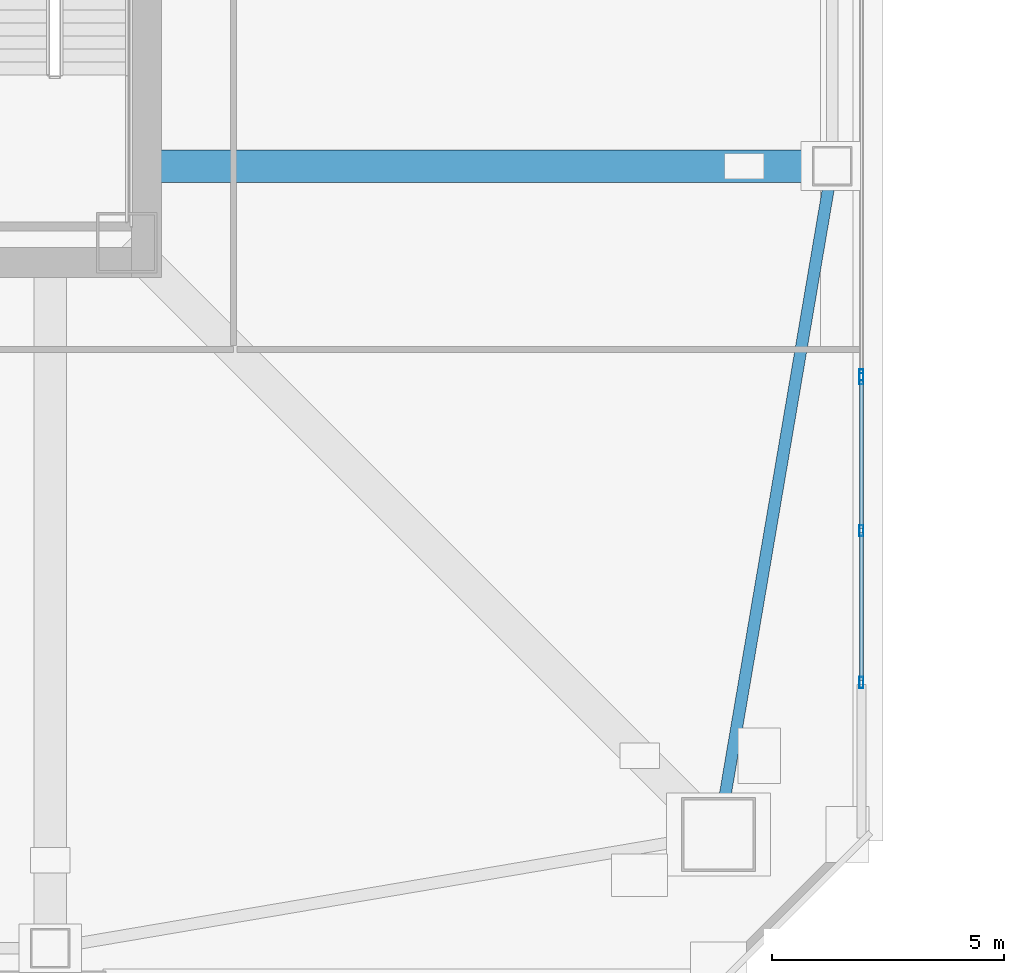
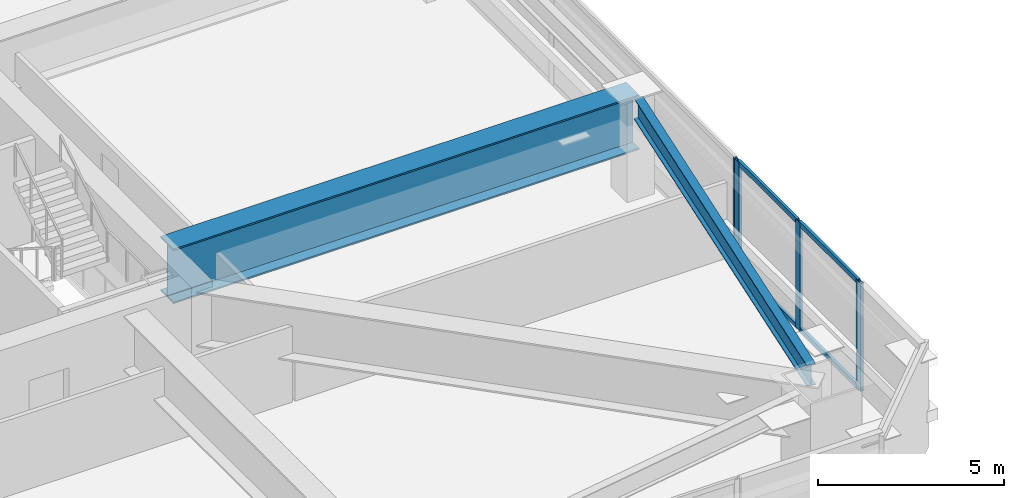
# One storey, part 10 of 48: 8 members, 2 beams, 2 elements without a shape of their own.
"""IFC4 building model written with IfcOpenShell, lengths in metres."""

from ifc_helpers import new_model, si_unit, direction, frame, origin, origin_2d, place, context, subcontext, project, spatial, hollow_rectangle, i_section, extrude, material, material_profile, profile_set, type_object, element, aggregate, save


model = new_model("IFC4")

# Units and contexts
model_context = context("Model", 3, precision=1e-05, world=origin(), true_north=direction((0.0, 1.0)))
body_context = subcontext(model_context, "Body", "Model", "MODEL_VIEW")
ifc_project = project(units=[si_unit("LENGTHUNIT", "METRE"), si_unit("AREAUNIT", "SQUARE_METRE"), si_unit("VOLUMEUNIT", "CUBIC_METRE"), si_unit("PLANEANGLEUNIT", "RADIAN"), si_unit("MASSUNIT", "GRAM", prefix="KILO")], contexts=[model_context])

# Site, building, storey
site_placement = place(None, origin())
site = spatial("IfcSite", under=ifc_project, at=site_placement, CompositionType="ELEMENT")
building_placement = place(site_placement, origin())
building = spatial("IfcBuilding", under=site, at=building_placement, Name="Tashvorn Skyway Center", CompositionType="ELEMENT")
storey_placement = place(building_placement, frame((0.0, 0.0, 63.64990234375)))
storey = spatial("IfcBuildingStorey", under=building, at=storey_placement, Name="L16", CompositionType="ELEMENT", Elevation=63.64990234375)

# Beams
ifc_material_1 = material(Name="Steel ASTM A572 Grade 50", Category="steel")
ifc_material_profile_1 = material_profile(ifc_material_1, i_section(OverallWidth=0.699951171875, OverallDepth=1.800048828125, WebThickness=0.031982421875, FlangeThickness=0.050048828125, at=origin_2d()), Name="PG1800x700")
ifc_profile_set_1 = profile_set([ifc_material_profile_1], Name="Steel ASTM A572 Grade 50")
beam_type_1 = type_object("IfcBeamType", Name="BM-BEAM-PG1800x700", PredefinedType="BEAM", material=ifc_profile_set_1)
beam_1_placement = place(storey_placement, frame((64.25, 26.60009765625, 2.4501953125), z_axis=(-1.0, 0.0, 0.0), x_axis=(0.0, -1.0, 0.0)))
element("IfcBeam", 1, at=beam_1_placement, inside=storey, type_object=beam_type_1, Name="Tower 1 L16 Setback Transfer Girder FC-E1", PredefinedType="BEAM", context=body_context, shape_type="SweptSolid", body=[
    extrude(i_section(OverallWidth=0.699951171875, OverallDepth=1.800048828125, WebThickness=0.031982421875, FlangeThickness=0.050048828125, at=origin_2d()), origin(), (0.0, 0.0, 1.0), 14.469970703125),
])
ifc_material_2 = material(Name="Steel ASTM A992 Grade 50", Category="steel")
ifc_material_profile_2 = material_profile(ifc_material_2, i_section(OverallWidth=0.256103515625, OverallDepth=0.693115234375, WebThickness=0.014404296875, FlangeThickness=0.023681640625, at=origin_2d()), Name="W27X114")
ifc_profile_set_2 = profile_set([ifc_material_profile_2], Name="Steel ASTM A992 Grade 50")
beam_type_2 = type_object("IfcBeamType", Name="BM-SPANDREL-W27X114", PredefinedType="SPANDREL", material=ifc_profile_set_2)
beam_2_placement = place(storey_placement, frame((61.933349609375, 12.983642578125, 3.003662109375), z_axis=(0.16771792509, 0.985835025551, 0.0), x_axis=(-0.985835025551, 0.16771792509, 0.0)))
element("IfcBeam", 2, at=beam_2_placement, inside=storey, type_object=beam_type_2, Name="Tower 1 L16 Spandrel Beam 04", PredefinedType="SPANDREL", context=body_context, shape_type="SweptSolid", body=[
    extrude(i_section(OverallWidth=0.256103515625, OverallDepth=0.693115234375, WebThickness=0.014404296875, FlangeThickness=0.023681640625, at=origin_2d()), origin(), (0.0, 0.0, 1.0), 13.39208984375),
])

# Curtain wall, member
ifc_material_3 = material(Name="Thermally broken bronze-anodized aluminium 6063-T6", Category="aluminium")
curtain_wall_type = type_object("IfcCurtainWallType", Name="CW-CW-Z1", PredefinedType="NOTDEFINED", material=ifc_material_3)
curtain_wall_1_placement = place(storey_placement, origin())
curtain_wall_1 = element("IfcCurtainWall", 3, at=curtain_wall_1_placement, inside=storey, type_object=curtain_wall_type, Name="Tower 1 L16 East Unitised Curtain Wall Glazing Group 2", PredefinedType="NOTDEFINED")
ifc_material_profile_3 = material_profile(ifc_material_3, hollow_rectangle(XDim=0.0849609375, YDim=0.239990234375, WallThickness=0.0048828125, at=origin_2d()), Name="ALU-MULL-85x240")
ifc_profile_set_3 = profile_set([ifc_material_profile_3], Name="Thermally broken bronze-anodized aluminium 6063-T6")
member_type_1 = type_object("IfcMemberType", Name="CWM-CW-Z1", PredefinedType="MULLION", material=ifc_profile_set_3)
member_1_placement = place(storey_placement, frame((64.8798828125, 22.1025390625, 0.0), z_axis=(0.0, 0.0, 1.0), x_axis=(1.0, 0.0, 0.0)))
member_1 = element("IfcMember", 4, at=member_1_placement, type_object=member_type_1, Name="CW-Z1 mullion 3", PredefinedType="MULLION", context=body_context, shape_type="SweptSolid", body=[
    extrude(hollow_rectangle(XDim=0.0849609375, YDim=0.239990234375, WallThickness=0.0048828125, at=origin_2d()), origin(), (0.0, 0.0, 1.0), 3.550048828125),
])
aggregate(curtain_wall_1, [member_1])

# Curtain wall, members
curtain_wall_2_placement = place(storey_placement, origin())
curtain_wall_2 = element("IfcCurtainWall", 5, at=curtain_wall_2_placement, inside=storey, type_object=curtain_wall_type, Name="Tower 1 L16 East Unitised Curtain Wall Glazing Group 3", PredefinedType="NOTDEFINED")
member_2_placement = place(storey_placement, frame((64.8798828125, 22.017578125, 0.0), z_axis=(0.0, 0.0, 1.0), x_axis=(1.0, 0.0, 0.0)))
member_2 = element("IfcMember", 6, at=member_2_placement, type_object=member_type_1, Name="CW-Z1 mullion 1", PredefinedType="MULLION", context=body_context, shape_type="SweptSolid", body=[
    extrude(hollow_rectangle(XDim=0.0849609375, YDim=0.239990234375, WallThickness=0.0048828125, at=origin_2d()), origin(), (0.0, 0.0, 1.0), 3.550048828125),
])
member_3_placement = place(storey_placement, frame((64.8798828125, 18.74658203125, 0.0), z_axis=(0.0, 0.0, 1.0), x_axis=(1.0, 0.0, 0.0)))
member_3 = element("IfcMember", 7, at=member_3_placement, type_object=member_type_1, Name="CW-Z1 mullion 2", PredefinedType="MULLION", context=body_context, shape_type="SweptSolid", body=[
    extrude(hollow_rectangle(XDim=0.0849609375, YDim=0.239990234375, WallThickness=0.0048828125, at=origin_2d()), origin(), (0.0, 0.0, 1.0), 3.550048828125),
])
member_4_placement = place(storey_placement, frame((64.8798828125, 15.475830078125, 0.0), z_axis=(0.0, 0.0, 1.0), x_axis=(1.0, 0.0, 0.0)))
member_4 = element("IfcMember", 8, at=member_4_placement, type_object=member_type_1, Name="CW-Z1 mullion 3", PredefinedType="MULLION", context=body_context, shape_type="SweptSolid", body=[
    extrude(hollow_rectangle(XDim=0.0849609375, YDim=0.239990234375, WallThickness=0.0048828125, at=origin_2d()), origin(), (0.0, 0.0, 1.0), 3.550048828125),
])
ifc_material_profile_4 = material_profile(ifc_material_3, hollow_rectangle(XDim=0.0849609375, YDim=0.1650390625, WallThickness=0.0048828125, at=origin_2d()), Name="ALU-TRAN-85x165")
ifc_profile_set_4 = profile_set([ifc_material_profile_4], Name="Thermally broken bronze-anodized aluminium 6063-T6")
member_type_2 = type_object("IfcMemberType", Name="CWT-CW-Z1", PredefinedType="USERDEFINED", material=ifc_profile_set_4)
member_5_placement = place(storey_placement, frame((64.8798828125, 21.97509765625, 0.04248046875), z_axis=(0.0, -1.0, 0.0), x_axis=(1.0, 0.0, 0.0)))
member_5 = element("IfcMember", 9, at=member_5_placement, type_object=member_type_2, Name="CW-Z1 transom 1.1", ObjectType="TRANSOM", PredefinedType="USERDEFINED", context=body_context, shape_type="SweptSolid", body=[
    extrude(hollow_rectangle(XDim=0.0849609375, YDim=0.1650390625, WallThickness=0.0048828125, at=origin_2d()), origin(), (0.0, 0.0, 1.0), 3.18603515625),
])
member_6_placement = place(storey_placement, frame((64.8798828125, 21.97509765625, 3.507568359375), z_axis=(0.0, -1.0, 0.0), x_axis=(1.0, 0.0, 0.0)))
member_6 = element("IfcMember", 10, at=member_6_placement, type_object=member_type_2, Name="CW-Z1 transom 1.2", ObjectType="TRANSOM", PredefinedType="USERDEFINED", context=body_context, shape_type="SweptSolid", body=[
    extrude(hollow_rectangle(XDim=0.0849609375, YDim=0.1650390625, WallThickness=0.0048828125, at=origin_2d()), origin(), (0.0, 0.0, 1.0), 3.18603515625),
])
member_7_placement = place(storey_placement, frame((64.8798828125, 18.7041015625, 0.04248046875), z_axis=(0.0, -1.0, 0.0), x_axis=(1.0, 0.0, 0.0)))
member_7 = element("IfcMember", 11, at=member_7_placement, type_object=member_type_2, Name="CW-Z1 transom 2.1", ObjectType="TRANSOM", PredefinedType="USERDEFINED", context=body_context, shape_type="SweptSolid", body=[
    extrude(hollow_rectangle(XDim=0.0849609375, YDim=0.1650390625, WallThickness=0.0048828125, at=origin_2d()), origin(), (0.0, 0.0, 1.0), 3.185791015625),
])
member_8_placement = place(storey_placement, frame((64.8798828125, 18.7041015625, 3.507568359375), z_axis=(0.0, -1.0, 0.0), x_axis=(1.0, 0.0, 0.0)))
member_8 = element("IfcMember", 12, at=member_8_placement, type_object=member_type_2, Name="CW-Z1 transom 2.2", ObjectType="TRANSOM", PredefinedType="USERDEFINED", context=body_context, shape_type="SweptSolid", body=[
    extrude(hollow_rectangle(XDim=0.0849609375, YDim=0.1650390625, WallThickness=0.0048828125, at=origin_2d()), origin(), (0.0, 0.0, 1.0), 3.185791015625),
])
aggregate(curtain_wall_2, [member_2, member_3, member_4, member_5, member_6, member_7, member_8])

save(model, "model.ifc")
